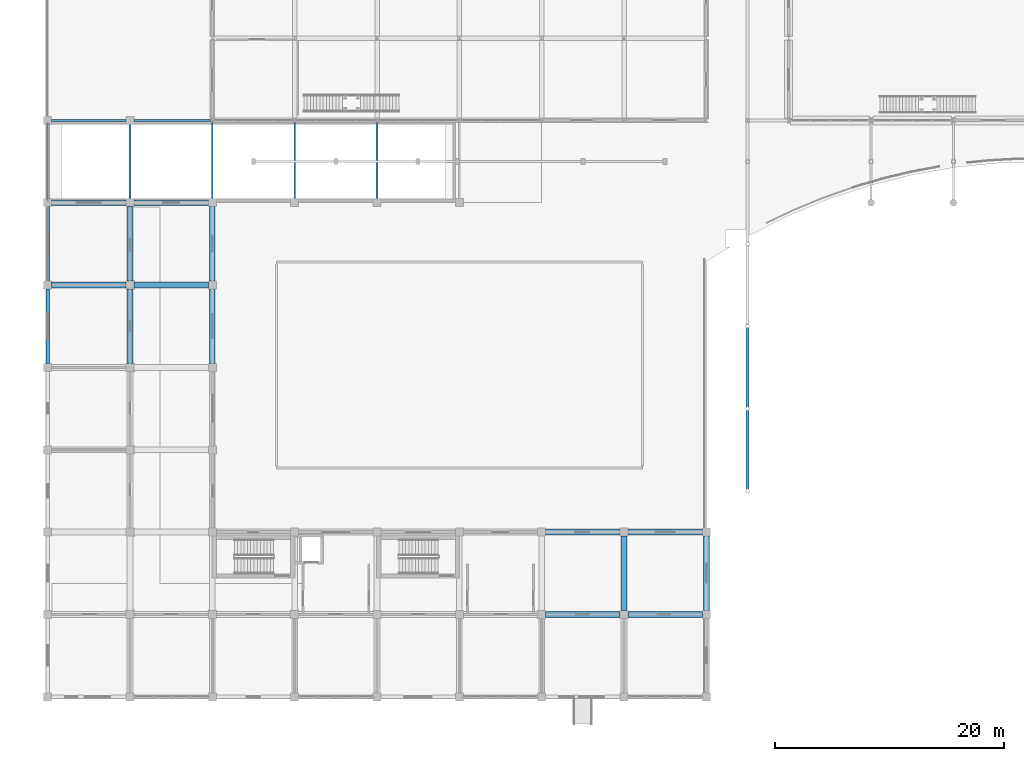
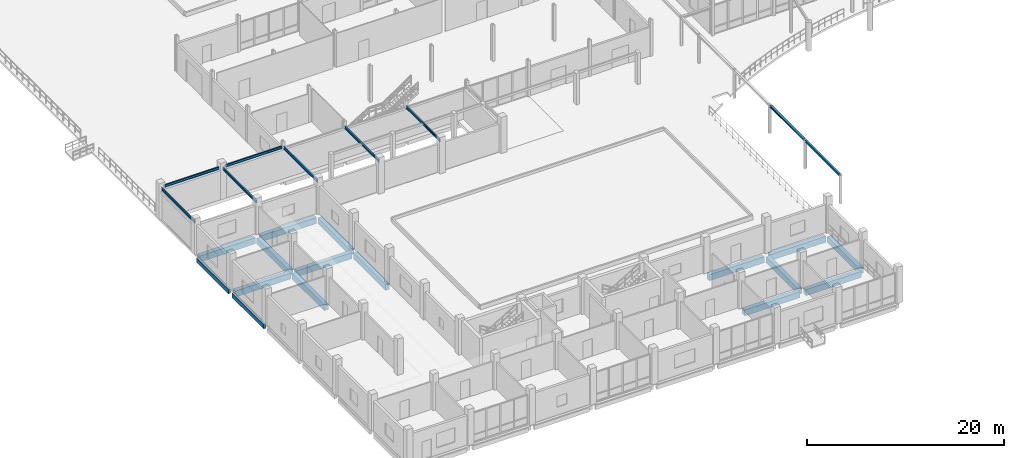
# One storey, part 26 of 139: 25 beams.
"""IFC4 building model written with IfcOpenShell, lengths in metres."""

from ifc_helpers import new_model, si_unit, direction, frame, origin, origin_2d, place, context, subcontext, project, spatial, rectangle, i_section, extrude, material, material_profile, profile_set, type_object, element, save


model = new_model("IFC4")

# Units and contexts
model_context = context("Model", 3, precision=1e-05, world=origin(), true_north=direction((0.0, 1.0)))
body_context = subcontext(model_context, "Body", "Model", "MODEL_VIEW")
ifc_project = project(units=[si_unit("LENGTHUNIT", "METRE"), si_unit("AREAUNIT", "SQUARE_METRE"), si_unit("VOLUMEUNIT", "CUBIC_METRE"), si_unit("PLANEANGLEUNIT", "RADIAN"), si_unit("MASSUNIT", "GRAM", prefix="KILO")], contexts=[model_context])

# Site, building, storey
site_placement = place(None, origin())
site = spatial("IfcSite", under=ifc_project, at=site_placement, CompositionType="ELEMENT")
building_placement = place(site_placement, origin())
building = spatial("IfcBuilding", under=site, at=building_placement, Name="Suanplinth Sawtooth Commons", CompositionType="ELEMENT")
storey_placement = place(building_placement, origin())
storey = spatial("IfcBuildingStorey", under=building, at=storey_placement, Name="L00", CompositionType="ELEMENT", Elevation=0.0)

# Beams
ifc_material_1 = material(Name="Concrete C40/50", Category="concrete")
ifc_material_profile_1 = material_profile(ifc_material_1, rectangle(XDim=0.5, YDim=0.75, at=origin_2d()), Name="RC-GDR 500x750")
ifc_profile_set_1 = profile_set([ifc_material_profile_1], Name="Concrete C40/50")
beam_type_1 = type_object("IfcBeamType", Name="B-03", PredefinedType="USERDEFINED", material=ifc_profile_set_1)
for number, where, z_axis, x_axis, name in (
    (1, (0.35009765625, 36.0, -0.784912109375), (1.0, 0.0, 0.0), (0.0, 1.0, 0.0), "BMX-L00-D-0-5"),
    (2, (0.35009765625, 43.199951171875, -0.784912109375), (1.0, 0.0, 0.0), (0.0, 1.0, 0.0), "BMX-L00-D-0-6"),
    (3, (7.550048828125, 36.0, -0.784912109375), (1.0, 0.0, 0.0), (0.0, 1.0, 0.0), "BMX-L00-D-1-5"),
    (4, (7.550048828125, 43.199951171875, -0.784912109375), (1.0, 0.0, 0.0), (0.0, 1.0, 0.0), "BMX-L00-D-1-6"),
    (5, (43.550048828125, 7.199951171875, -0.784912109375), (1.0, 0.0, 0.0), (0.0, 1.0, 0.0), "BMX-L00-D-6-1"),
    (6, (43.550048828125, 14.39990234375, -0.784912109375), (1.0, 0.0, 0.0), (0.0, 1.0, 0.0), "BMX-L00-D-6-2"),
    (7, (50.75, 7.199951171875, -0.784912109375), (1.0, 0.0, 0.0), (0.0, 1.0, 0.0), "BMX-L00-D-7-1"),
    (8, (50.75, 14.39990234375, -0.784912109375), (1.0, 0.0, 0.0), (0.0, 1.0, 0.0), "BMX-L00-D-7-2"),
    (9, (7.199951171875, 29.14990234375, -0.784912109375), (0.0, 1.0, 0.0), (-1.0, 0.0, 0.0), "BMY-L00-D-1-4"),
    (10, (7.199951171875, 36.35009765625, -0.784912109375), (0.0, 1.0, 0.0), (-1.0, 0.0, 0.0), "BMY-L00-D-1-5"),
    (11, (14.39990234375, 29.14990234375, -0.784912109375), (0.0, 1.0, 0.0), (-1.0, 0.0, 0.0), "BMY-L00-D-2-4"),
    (12, (14.39990234375, 36.35009765625, -0.784912109375), (0.0, 1.0, 0.0), (-1.0, 0.0, 0.0), "BMY-L00-D-2-5"),
    (13, (50.39990234375, 7.550048828125, -0.784912109375), (0.0, 1.0, 0.0), (-1.0, 0.0, 0.0), "BMY-L00-D-7-1"),
    (14, (57.60009765625, 7.550048828125, -0.784912109375), (0.0, 1.0, 0.0), (-1.0, 0.0, 0.0), "BMY-L00-D-8-1"),
):
    element("IfcBeam", number, at=place(storey_placement, frame(where, z_axis=z_axis, x_axis=x_axis)), inside=storey, type_object=beam_type_1, Name=name, ObjectType="GIRDER", PredefinedType="USERDEFINED", context=body_context, shape_type="SweptSolid", body=[
        extrude(rectangle(XDim=0.5, YDim=0.75, at=origin_2d()), origin(), (0.0, 0.0, 1.0), 6.5),
    ])
ifc_material_2 = material(Name="Precast concrete C40/50", Category="concrete")
ifc_material_profile_2 = material_profile(ifc_material_2, rectangle(XDim=0.280029296875, YDim=0.52001953125, at=origin_2d()), Name="PC-SP 280x520")
ifc_profile_set_2 = profile_set([ifc_material_profile_2], Name="Precast concrete C40/50")
beam_type_2 = type_object("IfcBeamType", Name="B-08", PredefinedType="SPANDREL", material=ifc_profile_set_2)
for number, where, z_axis, x_axis, name in (
    (15, (0.0, 29.14990234375, -0.669921875), (0.0, 1.0, 0.0), (-1.0, 0.0, 0.0), "BMY-L00-D-0-4"),
    (16, (0.0, 36.35009765625, -0.669921875), (0.0, 1.0, 0.0), (-1.0, 0.0, 0.0), "BMY-L00-D-0-5"),
):
    element("IfcBeam", number, at=place(storey_placement, frame(where, z_axis=z_axis, x_axis=x_axis)), inside=storey, type_object=beam_type_2, Name=name, PredefinedType="SPANDREL", context=body_context, shape_type="SweptSolid", body=[
        extrude(rectangle(XDim=0.280029296875, YDim=0.52001953125, at=origin_2d()), origin(), (0.0, 0.0, 1.0), 6.5),
    ])
ifc_material_3 = material(Name="Steel S355JR", Category="steel")
ifc_material_profile_3 = material_profile(ifc_material_3, i_section(OverallWidth=0.14990234375, OverallDepth=0.300048828125, WebThickness=0.007080078125, FlangeThickness=0.0107421875, at=origin_2d()), Name="IPE 300")
ifc_profile_set_3 = profile_set([ifc_material_profile_3], Name="Steel S355JR")
beam_type_3 = type_object("IfcBeamType", Name="B-13", PredefinedType="BEAM", material=ifc_profile_set_3)
beam_1_placement = place(storey_placement, frame((0.35009765625, 50.39990234375, 3.75), z_axis=(1.0, 0.0, 0.0), x_axis=(0.0, 1.0, 0.0)))
element("IfcBeam", 17, at=beam_1_placement, inside=storey, type_object=beam_type_3, Name="BMX-L00-RAMP-ROOF-0-7", PredefinedType="BEAM", context=body_context, shape_type="SweptSolid", body=[
    extrude(i_section(OverallWidth=0.14990234375, OverallDepth=0.300048828125, WebThickness=0.007080078125, FlangeThickness=0.0107421875, at=origin_2d()), origin(), (0.0, 0.0, 1.0), 6.5),
])
beam_2_placement = place(storey_placement, frame((7.550048828125, 50.39990234375, 3.75), z_axis=(1.0, 0.0, 0.0), x_axis=(0.0, 1.0, 0.0)))
element("IfcBeam", 18, at=beam_2_placement, inside=storey, type_object=beam_type_3, Name="BMX-L00-RAMP-ROOF-1-7", PredefinedType="BEAM", context=body_context, shape_type="SweptSolid", body=[
    extrude(i_section(OverallWidth=0.14990234375, OverallDepth=0.300048828125, WebThickness=0.007080078125, FlangeThickness=0.0107421875, at=origin_2d()), origin(), (0.0, 0.0, 1.0), 6.699951171875),
])
for number, where, z_axis, x_axis, name in (
    (19, (0.0, 43.280029296875, 3.75), (0.0, 1.0, 0.0), (-1.0, 0.0, 0.0), "Ramp Pavilion Steel Rafter 1"),
    (20, (7.199951171875, 43.280029296875, 3.75), (0.0, 1.0, 0.0), (-1.0, 0.0, 0.0), "Ramp Pavilion Steel Rafter 2"),
    (21, (14.39990234375, 43.280029296875, 3.75), (0.0, 1.0, 0.0), (-1.0, 0.0, 0.0), "Ramp Pavilion Steel Rafter 3"),
    (22, (21.60009765625, 43.280029296875, 3.75), (0.0, 1.0, 0.0), (-1.0, 0.0, 0.0), "Ramp Pavilion Steel Rafter 4"),
    (23, (28.800048828125, 43.280029296875, 3.75), (0.0, 1.0, 0.0), (-1.0, 0.0, 0.0), "Ramp Pavilion Steel Rafter 5"),
):
    element("IfcBeam", number, at=place(storey_placement, frame(where, z_axis=z_axis, x_axis=x_axis)), inside=storey, type_object=beam_type_3, Name=name, PredefinedType="BEAM", context=body_context, shape_type="SweptSolid", body=[
        extrude(i_section(OverallWidth=0.14990234375, OverallDepth=0.300048828125, WebThickness=0.007080078125, FlangeThickness=0.0107421875, at=origin_2d()), origin(), (0.0, 0.0, 1.0), 6.969970703125),
    ])
ifc_material_profile_4 = material_profile(ifc_material_3, i_section(OverallWidth=0.239990234375, OverallDepth=0.22998046875, WebThickness=0.007568359375, FlangeThickness=0.011962890625, at=origin_2d()), Name="HEA 240")
ifc_profile_set_4 = profile_set([ifc_material_profile_4], Name="Steel S355JR")
beam_type_4 = type_object("IfcBeamType", Name="B-17", PredefinedType="BEAM", material=ifc_profile_set_4)
beam_3_placement = place(storey_placement, frame((61.199951171875, 18.139892578125, 3.43994140625), z_axis=(0.0, 1.0, 0.0), x_axis=(-1.0, 0.0, 0.0)))
element("IfcBeam", 24, at=beam_3_placement, inside=storey, type_object=beam_type_4, Name="West Breezeway Spine Beam 1", PredefinedType="BEAM", context=body_context, shape_type="SweptSolid", body=[
    extrude(i_section(OverallWidth=0.239990234375, OverallDepth=0.22998046875, WebThickness=0.007568359375, FlangeThickness=0.011962890625, at=origin_2d()), origin(), (0.0, 0.0, 1.0), 6.920166015625),
])
beam_4_placement = place(storey_placement, frame((61.199951171875, 25.340087890625, 3.43994140625), z_axis=(0.0, 1.0, 0.0), x_axis=(-1.0, 0.0, 0.0)))
element("IfcBeam", 25, at=beam_4_placement, inside=storey, type_object=beam_type_4, Name="West Breezeway Spine Beam 2", PredefinedType="BEAM", context=body_context, shape_type="SweptSolid", body=[
    extrude(i_section(OverallWidth=0.239990234375, OverallDepth=0.22998046875, WebThickness=0.007568359375, FlangeThickness=0.011962890625, at=origin_2d()), origin(), (0.0, 0.0, 1.0), 6.919921875),
])

save(model, "model.ifc")
